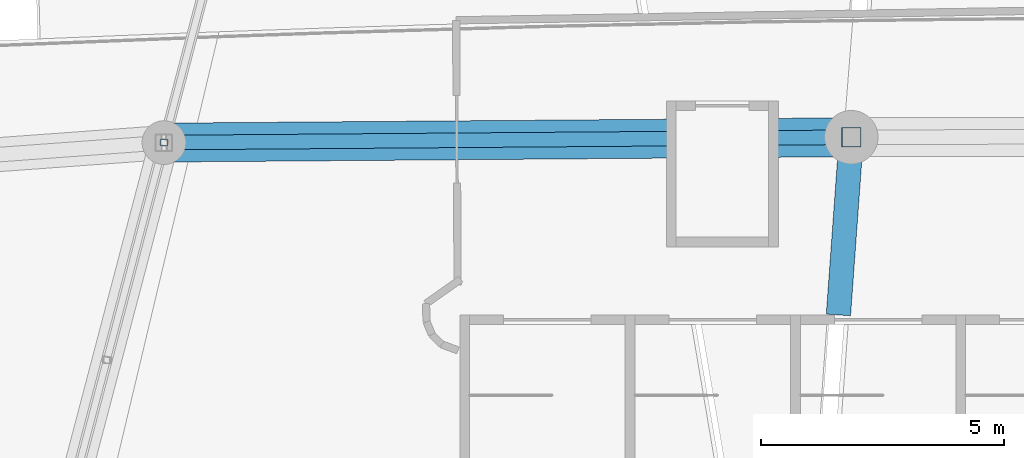
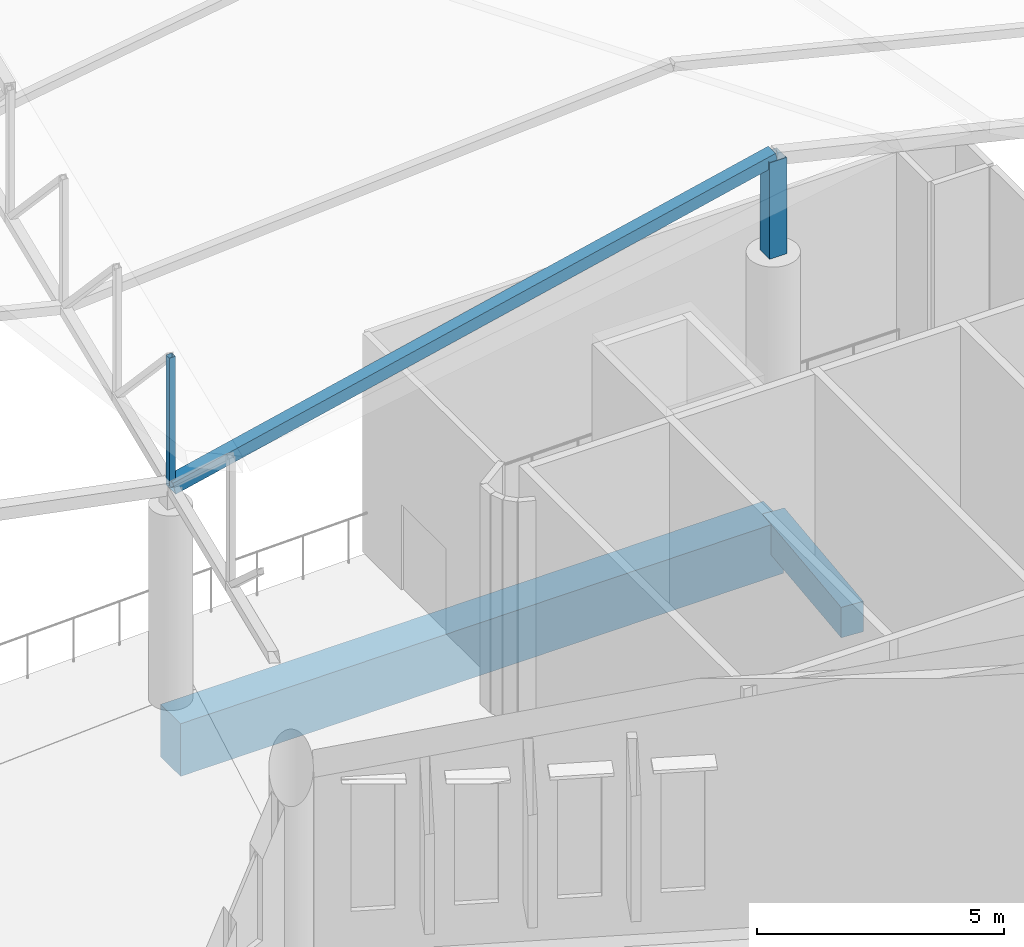
# One storey, part 28 of 344: 3 members, 2 beams.
"""IFC4 building model written with IfcOpenShell, lengths in metres."""

from ifc_helpers import new_model, si_unit, direction, frame, origin, origin_2d, place, context, subcontext, project, spatial, rectangle, hollow_rectangle, extrude, material, material_profile, profile_set, type_object, element, save


model = new_model("IFC4")

# Units and contexts
model_context = context("Model", 3, precision=1e-05, world=origin(), true_north=direction((0.0, 1.0)))
body_context = subcontext(model_context, "Body", "Model", "MODEL_VIEW")
ifc_project = project(units=[si_unit("LENGTHUNIT", "METRE"), si_unit("AREAUNIT", "SQUARE_METRE"), si_unit("VOLUMEUNIT", "CUBIC_METRE"), si_unit("PLANEANGLEUNIT", "RADIAN"), si_unit("MASSUNIT", "GRAM", prefix="KILO")], contexts=[model_context])

# Site, building, storey
site_placement = place(None, origin())
site = spatial("IfcSite", under=ifc_project, at=site_placement, CompositionType="ELEMENT")
building_placement = place(site_placement, origin())
building = spatial("IfcBuilding", under=site, at=building_placement, Name="Meseta Stadium", CompositionType="ELEMENT")
storey_placement = place(building_placement, frame((0.0, 0.0, 24.0)))
storey = spatial("IfcBuildingStorey", under=building, at=storey_placement, Name="L04", CompositionType="ELEMENT", Elevation=24.0)

# Beams
ifc_material_1 = material(Name="Concrete C40/50", Category="concrete")
ifc_material_profile_1 = material_profile(ifc_material_1, rectangle(XDim=0.5, YDim=0.75, at=origin_2d()), Name="RC 500x750")
ifc_profile_set_1 = profile_set([ifc_material_profile_1], Name="Concrete C40/50")
beam_type_1 = type_object("IfcBeamType", Name="RC beam 500x750", PredefinedType="BEAM", material=ifc_profile_set_1)
beam_1_placement = place(storey_placement, frame((-6.51708984375, -89.54638671875, -0.77490234375), z_axis=(-0.072312695021, -0.997382010134, 0.0), x_axis=(0.997382010134, -0.072312695021, 0.0)))
element("IfcBeam", 1, at=beam_1_placement, inside=storey, type_object=beam_type_1, Name="L04 radial beam frame 46 line P to R", PredefinedType="BEAM", context=body_context, shape_type="SweptSolid", body=[
    extrude(rectangle(XDim=0.5, YDim=0.75, at=origin_2d()), origin(), (0.0, 0.0, 1.0), 3.6630859375),
])
ifc_material_2 = material(Name="Concrete C40/50", Category="concrete")
ifc_material_profile_2 = material_profile(ifc_material_2, rectangle(XDim=0.800048828125, YDim=1.300048828125, at=origin_2d()), Name="RC 800x1300")
ifc_profile_set_2 = profile_set([ifc_material_profile_2], Name="Concrete C40/50")
beam_type_2 = type_object("IfcBeamType", Name="RC beam 800x1300", PredefinedType="BEAM", material=ifc_profile_set_2)
beam_2_placement = place(storey_placement, frame((-20.649658203125, -89.65625, -1.050048828125), z_axis=(0.999969785649, 0.007773531251, 0.0), x_axis=(-0.007773531251, 0.999969785649, 0.0)))
element("IfcBeam", 2, at=beam_2_placement, inside=storey, type_object=beam_type_2, Name="L04 ring beam frame 45 line P", PredefinedType="BEAM", context=body_context, shape_type="SweptSolid", body=[
    extrude(rectangle(XDim=0.800048828125, YDim=1.300048828125, at=origin_2d()), origin(), (0.0, 0.0, 1.0), 14.133056640625),
])

# Members
ifc_material_3 = material(Name="Steel S355", Category="steel")
ifc_material_profile_3 = material_profile(ifc_material_3, hollow_rectangle(XDim=0.139892578125, YDim=0.139892578125, WallThickness=0.0048828125, at=origin_2d()), Name="SHS 140x140x5")
ifc_profile_set_3 = profile_set([ifc_material_profile_3], Name="Steel S355")
member_type_1 = type_object("IfcMemberType", Name="SHS 140x140x5 post", PredefinedType="POST", material=ifc_profile_set_3)
member_1_placement = place(storey_placement, frame((-20.649658203125, -89.65625, 5.247802734375), z_axis=(0.0, 0.0, 1.0), x_axis=(1.0, 0.0, 0.0)))
element("IfcMember", 3, at=member_1_placement, inside=storey, type_object=member_type_1, Name="ROOF TRUSS RT-45 post", PredefinedType="POST", context=body_context, shape_type="SweptSolid", body=[
    extrude(hollow_rectangle(XDim=0.139892578125, YDim=0.139892578125, WallThickness=0.0048828125, at=origin_2d()), origin(), (0.0, 0.0, 1.0), 3.199951171875),
])
ifc_material_4 = material(Name="Steel S355", Category="steel")
ifc_material_profile_4 = material_profile(ifc_material_4, hollow_rectangle(XDim=0.300048828125, YDim=0.300048828125, WallThickness=0.010009765625, at=origin_2d()), Name="SHS 300x300x10")
ifc_profile_set_4 = profile_set([ifc_material_profile_4], Name="Steel S355")
member_type_2 = type_object("IfcMemberType", Name="SHS 300x300x10 pivot strut", PredefinedType="STRUT", material=ifc_profile_set_4)
member_2_placement = place(storey_placement, frame((-20.649658203125, -89.65625, 5.247802734375), z_axis=(0.976325727353, 0.007589727872, 0.216172315848), x_axis=(-0.007773531251, 0.999969785649, 0.0)))
element("IfcMember", 4, at=member_2_placement, inside=storey, type_object=member_type_2, Name="ROOF PIVOT STRUT RT-45/46", PredefinedType="STRUT", context=body_context, shape_type="SweptSolid", body=[
    extrude(hollow_rectangle(XDim=0.300048828125, YDim=0.300048828125, WallThickness=0.010009765625, at=origin_2d()), origin(), (0.0, 0.0, 1.0), 14.475341796875),
])
ifc_material_5 = material(Name="Steel S355", Category="steel")
ifc_material_profile_5 = material_profile(ifc_material_5, hollow_rectangle(XDim=0.39990234375, YDim=0.39990234375, WallThickness=0.01416015625, at=origin_2d()), Name="SHS 400x400x14.2")
ifc_profile_set_5 = profile_set([ifc_material_profile_5], Name="Steel S355")
member_type_3 = type_object("IfcMemberType", Name="SHS 400x400x14.2 pedestal", PredefinedType="POST", material=ifc_profile_set_5)
member_3_placement = place(storey_placement, frame((-6.51708984375, -89.54638671875, 6.0), z_axis=(0.0, 0.0, 1.0), x_axis=(1.0, 0.0, 0.0)))
element("IfcMember", 5, at=member_3_placement, inside=storey, type_object=member_type_3, Name="ROOF TRUSS RT-46 pedestal", PredefinedType="POST", context=body_context, shape_type="SweptSolid", body=[
    extrude(hollow_rectangle(XDim=0.39990234375, YDim=0.39990234375, WallThickness=0.01416015625, at=origin_2d()), origin(), (0.0, 0.0, 1.0), 2.376953125),
])

save(model, "model.ifc")
